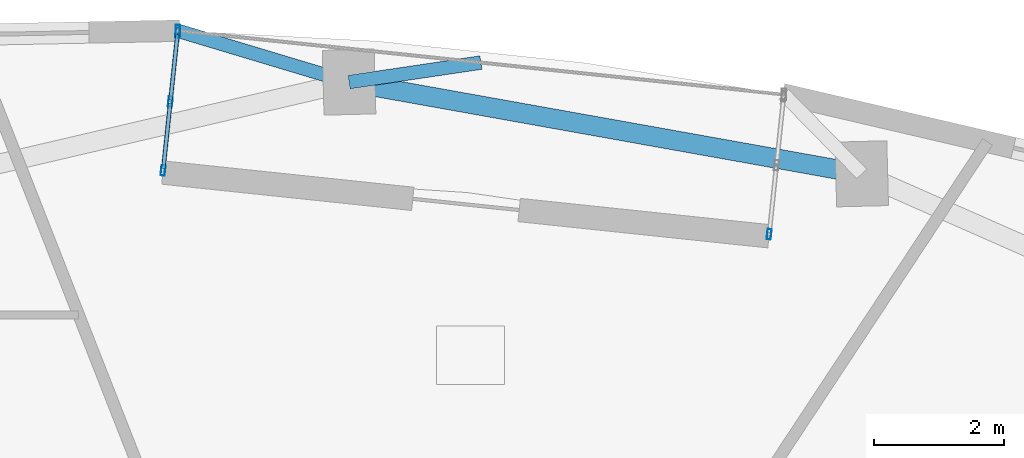
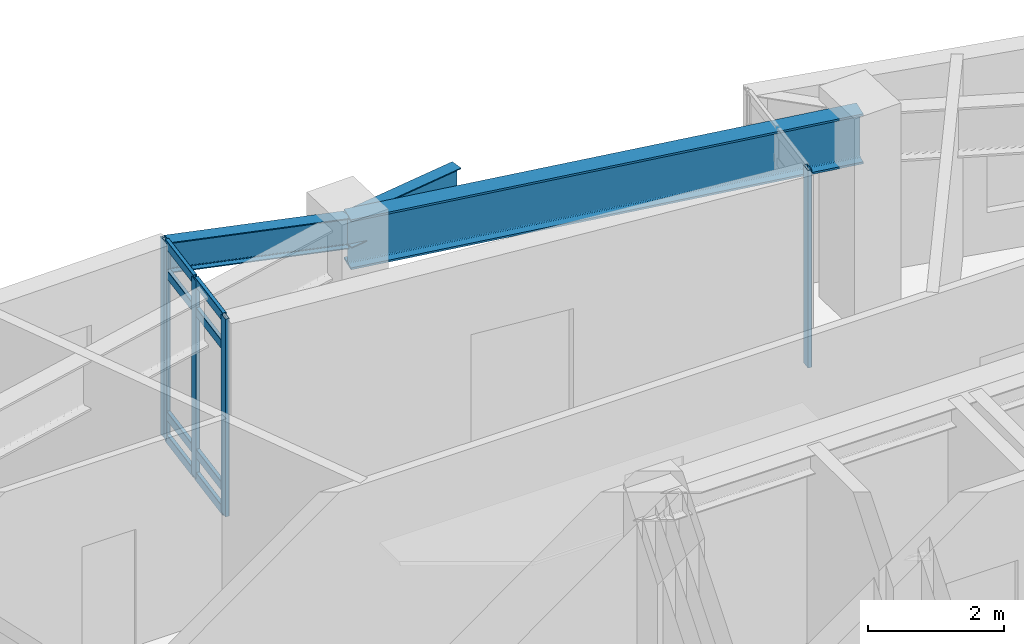
# One storey, part 6 of 16: 13 members, 3 beams, 2 elements without a shape of their own.
"""IFC4 building model written with IfcOpenShell, lengths in metres."""

import ifcopenshell
import ifcopenshell.guid

model = None  # the IFC model being written
_history = None  # IfcOwnerHistory: only IFC2X3 demands one
_inside = {}  # id of a spatial element -> (the spatial element, [elements in it])
_under = {}  # id of a project, library or spatial element -> (it, [spatial elements below it])
_declared = {}  # id of a project -> (the project, [libraries it declares])
_typed = {}  # id of a type object -> (the type object, [elements of that type])
_made_of = {}  # id of a material, layer set ... -> (it, [elements and type objects made of it])


def new_model(schema):
    """Start an empty IFC model of exactly this schema.

    Asked for "IFC4X3", IfcOpenShell would pick the latest addendum, in which some entities
    have other attributes; the version numbers below select the first issue.
    IFC2X3 requires an IfcOwnerHistory on every rooted entity: one is made here for all.
    """
    global model, _history
    if schema == "IFC4X3":
        model = ifcopenshell.file(schema_version=(4, 3, 0, 0))
    else:
        model = ifcopenshell.file(schema=schema)
    _inside.clear()
    _under.clear()
    _declared.clear()
    _typed.clear()
    _made_of.clear()
    _history = None
    if model.schema == "IFC2X3":
        org = make("IfcOrganization", Name="unknown")
        user = make(
            "IfcPersonAndOrganization",
            ThePerson=make("IfcPerson", FamilyName="unknown"),
            TheOrganization=org,
        )
        app = make(
            "IfcApplication",
            ApplicationDeveloper=org,
            Version="unknown",
            ApplicationFullName="unknown",
            ApplicationIdentifier="unknown",
        )
        _history = make(
            "IfcOwnerHistory",
            OwningUser=user,
            OwningApplication=app,
            ChangeAction="ADDED",
            CreationDate=0,
        )
    return model


def make(cls, **values):
    """One entity of the class cls with the attributes given. An attribute that is None is left unset."""
    return model.create_entity(
        cls, **{name: value for name, value in values.items() if value is not None}
    )


def rooted(cls, **values):
    """An entity with a GlobalId (a new one), such as an element, a storey or a relation."""
    return make(cls, GlobalId=ifcopenshell.guid.new(), OwnerHistory=_history, **values)


def si_unit(unit_type, name, prefix=None):
    """IfcSIUnit, for example si_unit("LENGTHUNIT", "METRE", prefix="MILLI")."""
    return make("IfcSIUnit", UnitType=unit_type, Prefix=prefix, Name=name)


def assignment(units):
    """IfcUnitAssignment: the units of a project."""
    return None if units is None else make("IfcUnitAssignment", Units=units)


def point(xyz):
    """IfcCartesianPoint."""
    return None if xyz is None else make("IfcCartesianPoint", Coordinates=xyz)


def direction(xyz):
    """IfcDirection."""
    return None if xyz is None else make("IfcDirection", DirectionRatios=xyz)


def frame(location, z_axis=None, x_axis=None):
    """IfcAxis2Placement3D, a coordinate frame: its origin and axes. An axis left out is left unset."""
    return make(
        "IfcAxis2Placement3D",
        Location=point(location),
        Axis=direction(z_axis),
        RefDirection=direction(x_axis),
    )


def frame_2d(location, x_axis=None):
    """IfcAxis2Placement2D, a coordinate frame in the plane: its origin and x axis."""
    return make(
        "IfcAxis2Placement2D", Location=point(location), RefDirection=direction(x_axis)
    )


def origin():
    """The frame at (0, 0, 0) with its axes left unset."""
    return frame((0.0, 0.0, 0.0))


def origin_2d():
    """The frame at (0, 0) in the plane with its x axis left unset."""
    return frame_2d((0.0, 0.0))


def place(relative_to, where):
    """IfcLocalPlacement: puts the frame where relative to a parent placement (None: the world)."""
    return make(
        "IfcLocalPlacement", PlacementRelTo=relative_to, RelativePlacement=where
    )


def context(
    kind, dimensions, precision=None, world=None, true_north=None, identifier=None
):
    """IfcGeometricRepresentationContext, for example the 3D "Model" context."""
    return make(
        "IfcGeometricRepresentationContext",
        ContextIdentifier=identifier,
        ContextType=kind,
        CoordinateSpaceDimension=dimensions,
        Precision=precision,
        WorldCoordinateSystem=world,
        TrueNorth=true_north,
    )


def subcontext(parent, identifier, kind, view, scale=None):
    """IfcGeometricRepresentationSubContext, for example "Body" below "Model"."""
    return make(
        "IfcGeometricRepresentationSubContext",
        ContextIdentifier=identifier,
        ContextType=kind,
        ParentContext=parent,
        TargetScale=scale,
        TargetView=view,
    )


def project(units=None, contexts=None):
    """IfcProject with its units and contexts."""
    return rooted(
        "IfcProject",
        Name="project",
        RepresentationContexts=contexts,
        UnitsInContext=assignment(units),
    )


def spatial(cls, under=None, at=None, **own):
    """A site, building, storey or space (cls), placed at a placement, below another one or the project."""
    s = rooted(cls, ObjectPlacement=at, **own)
    if under is not None:
        _under.setdefault(under.id(), (under, []))[1].append(s)
    return s


def profile(cls, at=None, kind="AREA", **sizes):
    """A parametric profile (cls). Its sizes go by their IFC names, for example OverallWidth=200.0."""
    return make(cls, ProfileType=kind, Position=at, **sizes)


def hollow_rectangle(**sizes):
    """IfcRectangleHollowProfileDef."""
    return profile("IfcRectangleHollowProfileDef", **sizes)


def i_section(**sizes):
    """IfcIShapeProfileDef."""
    return profile("IfcIShapeProfileDef", **sizes)


def extrude(swept, where, along, depth):
    """IfcExtrudedAreaSolid: the profile swept, set in the frame where, extruded along a direction by depth."""
    return make(
        "IfcExtrudedAreaSolid",
        SweptArea=swept,
        Position=where,
        ExtrudedDirection=direction(along),
        Depth=depth,
    )


def shape(context_of_items, identifier, shape_type, items):
    """IfcShapeRepresentation: the items that make up one representation, for example the "Body"."""
    return make(
        "IfcShapeRepresentation",
        ContextOfItems=context_of_items,
        RepresentationIdentifier=identifier,
        RepresentationType=shape_type,
        Items=items,
    )


def material(Name=None, Category=None):
    """IfcMaterial."""
    return make("IfcMaterial", Name=Name, Category=Category)


def layer(
    of_material, thickness, ventilated=None, Name=None, Category=None, Priority=None
):
    """IfcMaterialLayer: one layer of a wall or slab, of a material (None: an air gap)."""
    return make(
        "IfcMaterialLayer",
        Material=of_material,
        LayerThickness=thickness,
        IsVentilated=ventilated,
        Name=Name,
        Category=Category,
        Priority=Priority,
    )


def layer_set(layers, Name=None):
    """IfcMaterialLayerSet."""
    return make("IfcMaterialLayerSet", MaterialLayers=layers, LayerSetName=Name)


def material_profile(
    of_material, cross_section, Name=None, Category=None, Priority=None
):
    """IfcMaterialProfile: a cross section and its material."""
    return make(
        "IfcMaterialProfile",
        Name=Name,
        Material=of_material,
        Profile=cross_section,
        Priority=Priority,
        Category=Category,
    )


def profile_set(profiles, Name=None, composite=None):
    """IfcMaterialProfileSet."""
    return make(
        "IfcMaterialProfileSet",
        Name=Name,
        MaterialProfiles=profiles,
        CompositeProfile=composite,
    )


def made_of(thing, what):
    """Note that an element or type object is made of a material, layer set ...; save() writes the relation."""
    if what is not None:
        _made_of.setdefault(what.id(), (what, []))[1].append(thing)
    return thing


def type_object(cls, material=None, **own):
    """A type object (cls), such as IfcWallType, which elements share."""
    return made_of(rooted(cls, **own), material)


def element(
    cls,
    number,
    at=None,
    inside=None,
    cuts=None,
    type_object=None,
    material=None,
    context=None,
    identifier="Body",
    shape_type=None,
    held_by="IfcProductDefinitionShape",
    body=None,
    shapes=None,
    **own,
):
    """One element of the class cls, such as IfcWall. Its Tag is "e" and its number.

    at: its placement. inside: the storey or other place that contains it. cuts: it is an
    opening in that element (IfcRelVoidsElement). A single representation is given by context,
    identifier, shape_type and body (its items); several are given by shapes. held_by: the class
    of the entity that holds the representations. save() writes the other relations.
    """
    e = rooted(cls, Tag="e%d" % number, ObjectPlacement=at, **own)
    if body is not None:
        shapes = [shape(context, identifier, shape_type, body)]
    if shapes is not None:
        e.Representation = make(held_by, Representations=shapes)
    if inside is not None:
        _inside.setdefault(inside.id(), (inside, []))[1].append(e)
    if cuts is not None:
        rooted(
            "IfcRelVoidsElement", RelatingBuildingElement=cuts, RelatedOpeningElement=e
        )
    if type_object is not None:
        _typed.setdefault(type_object.id(), (type_object, []))[1].append(e)
    return made_of(e, material)


def aggregate(whole, parts):
    """IfcRelAggregates: a whole, such as a stair, and the parts it consists of."""
    return rooted("IfcRelAggregates", RelatingObject=whole, RelatedObjects=parts)


def save(model, path):
    """Write the relations noted so far, then the file.

    IfcRelAggregates (storeys below a building ...), IfcRelContainedInSpatialStructure (elements
    in a storey), IfcRelDefinesByType, IfcRelAssociatesMaterial and IfcRelDeclares: one each for
    every whole, place, type object, material and project.
    """
    for whole, parts in _under.values():
        aggregate(whole, parts)
    for where, things in _inside.values():
        rooted(
            "IfcRelContainedInSpatialStructure",
            RelatedElements=things,
            RelatingStructure=where,
        )
    for kind, things in _typed.values():
        rooted("IfcRelDefinesByType", RelatedObjects=things, RelatingType=kind)
    for what, things in _made_of.values():
        rooted("IfcRelAssociatesMaterial", RelatedObjects=things, RelatingMaterial=what)
    for by, libraries in _declared.values():
        rooted("IfcRelDeclares", RelatingContext=by, RelatedDefinitions=libraries)
    model.write(path)


model = new_model("IFC4")

# Units and contexts
model_context = context("Model", 3, precision=1e-05, world=origin(), true_north=direction((0.0, 1.0)))
body_context = subcontext(model_context, "Body", "Model", "MODEL_VIEW")
ifc_project = project(units=[si_unit("LENGTHUNIT", "METRE"), si_unit("AREAUNIT", "SQUARE_METRE"), si_unit("VOLUMEUNIT", "CUBIC_METRE"), si_unit("PLANEANGLEUNIT", "RADIAN"), si_unit("MASSUNIT", "GRAM", prefix="KILO")], contexts=[model_context])

# Site, building, storey
site_placement = place(None, origin())
site = spatial("IfcSite", under=ifc_project, at=site_placement, CompositionType="ELEMENT")
building_placement = place(site_placement, origin())
building = spatial("IfcBuilding", under=site, at=building_placement, Name="Ndelora Gate Hotel", CompositionType="ELEMENT")
storey_placement = place(building_placement, frame((0.0, 0.0, 182.75)))
storey = spatial("IfcBuildingStorey", under=building, at=storey_placement, Name="L45", CompositionType="ELEMENT", Elevation=182.75)

# Beams
ifc_material_1 = material(Name="Steel S460", Category="steel")
ifc_material_profile_1 = material_profile(ifc_material_1, i_section(OverallWidth=0.300048828125, OverallDepth=0.89990234375, WebThickness=0.0185546875, FlangeThickness=0.034912109375, FilletRadius=0.030029296875, at=origin_2d()), Name="HEB 900")
ifc_profile_set_1 = profile_set([ifc_material_profile_1], Name="Steel S460")
beam_type_1 = type_object("IfcBeamType", Name="BM-BELT-900", PredefinedType="SPANDREL", material=ifc_profile_set_1)
beam_1_placement = place(storey_placement, frame((7.50830078125, 13.828369140625, 3.10009765625), z_axis=(-0.984373619655, 0.176092523767, 0.0), x_axis=(-0.176092523767, -0.984373619655, 0.0)))
element("IfcBeam", 1, at=beam_1_placement, inside=storey, type_object=beam_type_1, Name="L45 Perimeter Spandrel Girder 10", PredefinedType="SPANDREL", context=body_context, shape_type="SweptSolid", body=[
    extrude(i_section(OverallWidth=0.300048828125, OverallDepth=0.89990234375, WebThickness=0.0185546875, FlangeThickness=0.034912109375, FilletRadius=0.030029296875, at=origin_2d()), origin(), (0.0, 0.0, 1.0), 8.032958984375),
])
ifc_material_2 = material(Name="Steel S355", Category="steel")
ifc_material_profile_2 = material_profile(ifc_material_2, i_section(OverallWidth=0.2099609375, OverallDepth=0.550048828125, WebThickness=0.010986328125, FlangeThickness=0.01708984375, FilletRadius=0.02392578125, at=origin_2d()), Name="IPE 550")
ifc_profile_set_2 = profile_set([ifc_material_profile_2], Name="Steel S355")
beam_type_2 = type_object("IfcBeamType", Name="BM-RAD-550", PredefinedType="BEAM", material=ifc_profile_set_2)
beam_2_placement = place(storey_placement, frame((-0.399169921875, 15.242919921875, 3.27490234375), z_axis=(0.989197083219, 0.146591713786, 0.0), x_axis=(-0.146591713786, 0.989197083219, 0.0)))
element("IfcBeam", 2, at=beam_2_placement, inside=storey, type_object=beam_type_2, Name="L45 Sky-Garden Loggia Column Bracket 2", PredefinedType="BEAM", context=body_context, shape_type="SweptSolid", body=[
    extrude(i_section(OverallWidth=0.2099609375, OverallDepth=0.550048828125, WebThickness=0.010986328125, FlangeThickness=0.01708984375, FilletRadius=0.02392578125, at=origin_2d()), origin(), (0.0, 0.0, 1.0), 2.05517578125),
])
beam_3_placement = place(storey_placement, frame((-0.399169921875, 15.242919921875, 3.27490234375), z_axis=(-0.957794603909, 0.287453468795, 0.0), x_axis=(-0.287453468795, -0.957794603909, 0.0)))
element("IfcBeam", 3, at=beam_3_placement, inside=storey, type_object=beam_type_2, Name="L45 Sky-Garden Loggia Column Bracket 3", PredefinedType="BEAM", context=body_context, shape_type="SweptSolid", body=[
    extrude(i_section(OverallWidth=0.2099609375, OverallDepth=0.550048828125, WebThickness=0.010986328125, FlangeThickness=0.01708984375, FilletRadius=0.02392578125, at=origin_2d()), origin(), (0.0, 0.0, 1.0), 2.7578125),
])

# Curtain wall, member
ifc_material_3 = material(Name="Bronze Anodised Unitised Aluminium and Low-E Glass", Category="aluminium")
ifc_layer = layer(ifc_material_3, 0.199951171875)
ifc_layer_set = layer_set([ifc_layer], Name="Bronze Anodised Unitised Aluminium and Low-E Glass")
curtain_wall_type = type_object("IfcCurtainWallType", Name="CW-SYS-3", PredefinedType="NOTDEFINED", material=ifc_layer_set)
curtain_wall_1_placement = place(storey_placement, origin())
curtain_wall_1 = element("IfcCurtainWall", 4, at=curtain_wall_1_placement, inside=storey, type_object=curtain_wall_type, Name="L45 Sky-Garden Loggia Side Curtain Wall CW3-1", PredefinedType="NOTDEFINED")
ifc_material_4 = material(Name="Bronze Anodised Aluminium 6063-T6", Category="aluminium")
ifc_material_profile_3 = material_profile(ifc_material_4, hollow_rectangle(XDim=0.06494140625, YDim=0.159912109375, WallThickness=0.00390625, InnerFilletRadius=0.00390625, OuterFilletRadius=0.008056640625, at=origin_2d()), Name="ALU 160x65x4")
ifc_profile_set_3 = profile_set([ifc_material_profile_3], Name="Bronze Anodised Aluminium 6063-T6")
member_type_1 = type_object("IfcMemberType", Name="MB-CW-MUL150", PredefinedType="MULLION", material=ifc_profile_set_3)
member_1_placement = place(storey_placement, frame((6.08154296875, 12.897216796875, -0.00390625), z_axis=(0.0, 0.0, 1.0), x_axis=(-0.994525111167, 0.104497862459, 0.0)))
member_1 = element("IfcMember", 5, at=member_1_placement, type_object=member_type_1, Name="CW3 mullion 1", PredefinedType="MULLION", context=body_context, shape_type="SweptSolid", body=[
    extrude(hollow_rectangle(XDim=0.06494140625, YDim=0.159912109375, WallThickness=0.00390625, InnerFilletRadius=0.00390625, OuterFilletRadius=0.008056640625, at=origin_2d()), origin(), (0.0, 0.0, 1.0), 3.557861328125),
])
aggregate(curtain_wall_1, [member_1])

# Curtain wall, members
curtain_wall_2_placement = place(storey_placement, origin())
curtain_wall_2 = element("IfcCurtainWall", 6, at=curtain_wall_2_placement, inside=storey, type_object=curtain_wall_type, Name="L45 Sky-Garden Loggia Side Curtain Wall CW3-2", PredefinedType="NOTDEFINED")
member_2_placement = place(storey_placement, frame((-3.0439453125, 16.003173828125, -0.00390625), z_axis=(0.0, 0.0, 1.0), x_axis=(0.994525111167, -0.104497862459, 0.0)))
member_2 = element("IfcMember", 7, at=member_2_placement, type_object=member_type_1, Name="CW3 mullion 1", PredefinedType="MULLION", context=body_context, shape_type="SweptSolid", body=[
    extrude(hollow_rectangle(XDim=0.06494140625, YDim=0.159912109375, WallThickness=0.00390625, InnerFilletRadius=0.00390625, OuterFilletRadius=0.008056640625, at=origin_2d()), origin(), (0.0, 0.0, 1.0), 3.557861328125),
])
member_3_placement = place(storey_placement, frame((-3.155517578125, 14.941650390625, -0.00390625), z_axis=(0.0, 0.0, 1.0), x_axis=(0.994525111167, -0.104497862459, 0.0)))
member_3 = element("IfcMember", 8, at=member_3_placement, type_object=member_type_1, Name="CW3 mullion 2", PredefinedType="MULLION", context=body_context, shape_type="SweptSolid", body=[
    extrude(hollow_rectangle(XDim=0.06494140625, YDim=0.159912109375, WallThickness=0.00390625, InnerFilletRadius=0.00390625, OuterFilletRadius=0.008056640625, at=origin_2d()), origin(), (0.0, 0.0, 1.0), 3.557861328125),
])
member_4_placement = place(storey_placement, frame((-3.26708984375, 13.8798828125, -0.00390625), z_axis=(0.0, 0.0, 1.0), x_axis=(0.994525111167, -0.104497862459, 0.0)))
member_4 = element("IfcMember", 9, at=member_4_placement, type_object=member_type_1, Name="CW3 mullion 3", PredefinedType="MULLION", context=body_context, shape_type="SweptSolid", body=[
    extrude(hollow_rectangle(XDim=0.06494140625, YDim=0.159912109375, WallThickness=0.00390625, InnerFilletRadius=0.00390625, OuterFilletRadius=0.008056640625, at=origin_2d()), origin(), (0.0, 0.0, 1.0), 3.557861328125),
])
ifc_material_profile_4 = material_profile(ifc_material_4, hollow_rectangle(XDim=0.070068359375, YDim=0.179931640625, WallThickness=0.0048828125, InnerFilletRadius=0.0048828125, OuterFilletRadius=0.010009765625, at=origin_2d()), Name="ALU 180x70x5")
ifc_profile_set_4 = profile_set([ifc_material_profile_4], Name="Bronze Anodised Aluminium 6063-T6")
member_type_2 = type_object("IfcMemberType", Name="MB-CW-MUL180", PredefinedType="MULLION", material=ifc_profile_set_4)
member_5_placement = place(storey_placement, frame((-3.04052734375, 16.03564453125, 0.0), z_axis=(0.0, 0.0, 1.0), x_axis=(1.0, 0.0, 0.0)))
member_5 = element("IfcMember", 10, at=member_5_placement, type_object=member_type_2, Name="L45 Sky-Garden Loggia Corner Mullion Post 2", PredefinedType="MULLION", context=body_context, shape_type="SweptSolid", body=[
    extrude(hollow_rectangle(XDim=0.070068359375, YDim=0.179931640625, WallThickness=0.0048828125, InnerFilletRadius=0.0048828125, OuterFilletRadius=0.010009765625, at=origin_2d()), origin(), (0.0, 0.0, 1.0), 3.550048828125),
])
ifc_material_profile_5 = material_profile(ifc_material_4, hollow_rectangle(XDim=0.06494140625, YDim=0.159912109375, WallThickness=0.00390625, InnerFilletRadius=0.00390625, OuterFilletRadius=0.008056640625, at=origin_2d()), Name="ALU 160x65x4")
ifc_profile_set_5 = profile_set([ifc_material_profile_5], Name="Bronze Anodised Aluminium 6063-T6")
member_type_3 = type_object("IfcMemberType", Name="MB-CW-TRN150", PredefinedType="USERDEFINED", material=ifc_profile_set_5)
member_6_placement = place(storey_placement, frame((-3.046630859375, 15.976806640625, 0.032470703125), z_axis=(-0.104459259027, -0.994529166593, 0.0), x_axis=(0.994529166593, -0.104459259027, 0.0)))
member_6 = element("IfcMember", 11, at=member_6_placement, type_object=member_type_3, Name="CW3 transom 1.1", ObjectType="TRANSOM", PredefinedType="USERDEFINED", context=body_context, shape_type="SweptSolid", body=[
    extrude(hollow_rectangle(XDim=0.06494140625, YDim=0.159912109375, WallThickness=0.00390625, InnerFilletRadius=0.00390625, OuterFilletRadius=0.008056640625, at=origin_2d()), origin(), (0.0, 0.0, 1.0), 1.014404296875),
])
member_7_placement = place(storey_placement, frame((-3.046630859375, 15.976806640625, 0.449951171875), z_axis=(-0.104459259027, -0.994529166593, 0.0), x_axis=(0.994529166593, -0.104459259027, 0.0)))
member_7 = element("IfcMember", 12, at=member_7_placement, type_object=member_type_3, Name="CW3 transom 1.2", ObjectType="TRANSOM", PredefinedType="USERDEFINED", context=body_context, shape_type="SweptSolid", body=[
    extrude(hollow_rectangle(XDim=0.06494140625, YDim=0.159912109375, WallThickness=0.00390625, InnerFilletRadius=0.00390625, OuterFilletRadius=0.008056640625, at=origin_2d()), origin(), (0.0, 0.0, 1.0), 1.014404296875),
])
member_8_placement = place(storey_placement, frame((-3.046630859375, 15.976806640625, 3.0), z_axis=(-0.104459259027, -0.994529166593, 0.0), x_axis=(0.994529166593, -0.104459259027, 0.0)))
member_8 = element("IfcMember", 13, at=member_8_placement, type_object=member_type_3, Name="CW3 transom 1.3", ObjectType="TRANSOM", PredefinedType="USERDEFINED", context=body_context, shape_type="SweptSolid", body=[
    extrude(hollow_rectangle(XDim=0.06494140625, YDim=0.159912109375, WallThickness=0.00390625, InnerFilletRadius=0.00390625, OuterFilletRadius=0.008056640625, at=origin_2d()), origin(), (0.0, 0.0, 1.0), 1.014404296875),
])
member_9_placement = place(storey_placement, frame((-3.046630859375, 15.976806640625, 3.517578125), z_axis=(-0.104459259027, -0.994529166593, 0.0), x_axis=(0.994529166593, -0.104459259027, 0.0)))
member_9 = element("IfcMember", 14, at=member_9_placement, type_object=member_type_3, Name="CW3 transom 1.4", ObjectType="TRANSOM", PredefinedType="USERDEFINED", context=body_context, shape_type="SweptSolid", body=[
    extrude(hollow_rectangle(XDim=0.06494140625, YDim=0.159912109375, WallThickness=0.00390625, InnerFilletRadius=0.00390625, OuterFilletRadius=0.008056640625, at=origin_2d()), origin(), (0.0, 0.0, 1.0), 1.014404296875),
])
member_10_placement = place(storey_placement, frame((-3.158203125, 14.915283203125, 0.032470703125), z_axis=(-0.104434260277, -0.994531791991, 0.0), x_axis=(0.994531791991, -0.104434260277, 0.0)))
member_10 = element("IfcMember", 15, at=member_10_placement, type_object=member_type_3, Name="CW3 transom 2.1", ObjectType="TRANSOM", PredefinedType="USERDEFINED", context=body_context, shape_type="SweptSolid", body=[
    extrude(hollow_rectangle(XDim=0.06494140625, YDim=0.159912109375, WallThickness=0.00390625, InnerFilletRadius=0.00390625, OuterFilletRadius=0.008056640625, at=origin_2d()), origin(), (0.0, 0.0, 1.0), 1.0146484375),
])
member_11_placement = place(storey_placement, frame((-3.158203125, 14.915283203125, 0.449951171875), z_axis=(-0.104434260277, -0.994531791991, 0.0), x_axis=(0.994531791991, -0.104434260277, 0.0)))
member_11 = element("IfcMember", 16, at=member_11_placement, type_object=member_type_3, Name="CW3 transom 2.2", ObjectType="TRANSOM", PredefinedType="USERDEFINED", context=body_context, shape_type="SweptSolid", body=[
    extrude(hollow_rectangle(XDim=0.06494140625, YDim=0.159912109375, WallThickness=0.00390625, InnerFilletRadius=0.00390625, OuterFilletRadius=0.008056640625, at=origin_2d()), origin(), (0.0, 0.0, 1.0), 1.0146484375),
])
member_12_placement = place(storey_placement, frame((-3.158203125, 14.915283203125, 3.0), z_axis=(-0.104434260277, -0.994531791991, 0.0), x_axis=(0.994531791991, -0.104434260277, 0.0)))
member_12 = element("IfcMember", 17, at=member_12_placement, type_object=member_type_3, Name="CW3 transom 2.3", ObjectType="TRANSOM", PredefinedType="USERDEFINED", context=body_context, shape_type="SweptSolid", body=[
    extrude(hollow_rectangle(XDim=0.06494140625, YDim=0.159912109375, WallThickness=0.00390625, InnerFilletRadius=0.00390625, OuterFilletRadius=0.008056640625, at=origin_2d()), origin(), (0.0, 0.0, 1.0), 1.0146484375),
])
member_13_placement = place(storey_placement, frame((-3.158203125, 14.915283203125, 3.517578125), z_axis=(-0.104434260277, -0.994531791991, 0.0), x_axis=(0.994531791991, -0.104434260277, 0.0)))
member_13 = element("IfcMember", 18, at=member_13_placement, type_object=member_type_3, Name="CW3 transom 2.4", ObjectType="TRANSOM", PredefinedType="USERDEFINED", context=body_context, shape_type="SweptSolid", body=[
    extrude(hollow_rectangle(XDim=0.06494140625, YDim=0.159912109375, WallThickness=0.00390625, InnerFilletRadius=0.00390625, OuterFilletRadius=0.008056640625, at=origin_2d()), origin(), (0.0, 0.0, 1.0), 1.0146484375),
])
aggregate(curtain_wall_2, [member_2, member_3, member_4, member_6, member_7, member_8, member_9, member_10, member_11, member_12, member_13, member_5])

save(model, "model.ifc")
